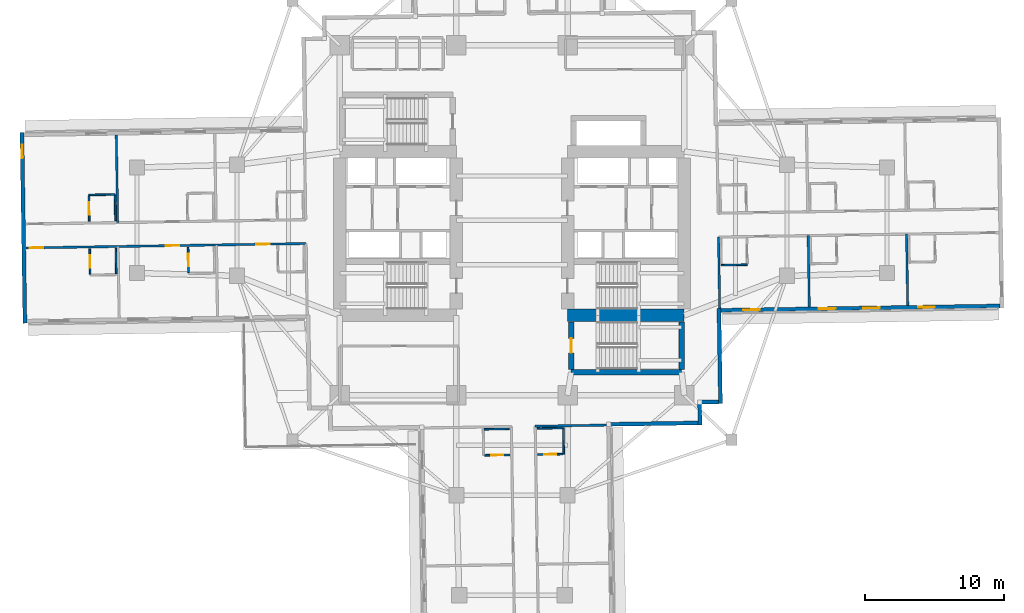
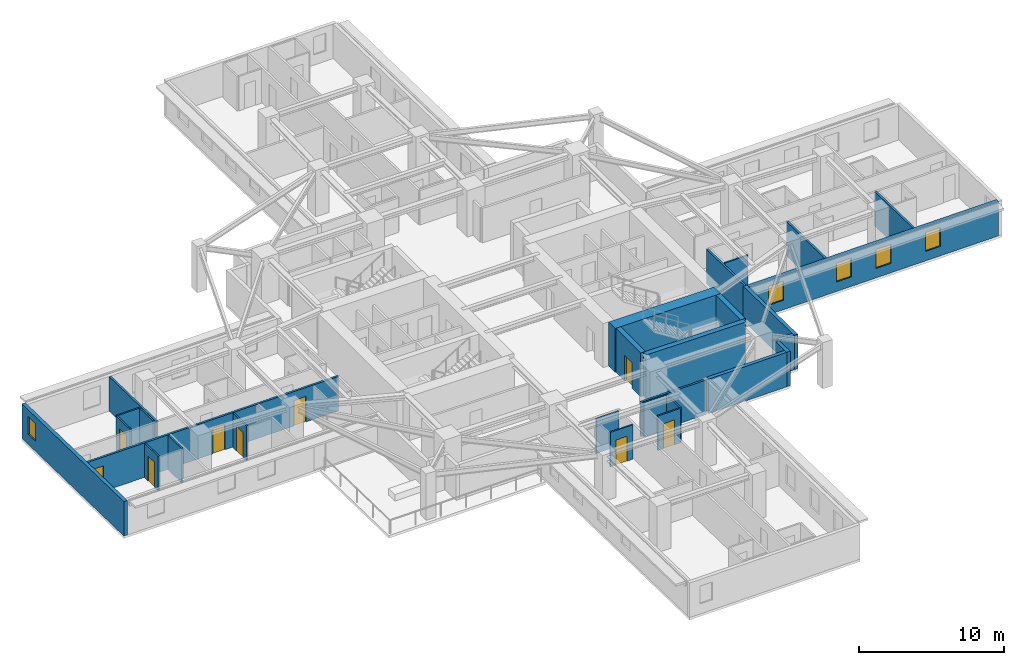
# One storey, part 4 of 14: 28 walls, 9 doors, 5 windows, 14 openings.
"""IFC4 building model written with IfcOpenShell, lengths in metres."""

from ifc_helpers import new_model, si_unit, direction, frame, frame_2d, origin, place, context, subcontext, project, spatial, rectangle, extrude, material, layer, layer_set, type_object, element, fill, save


model = new_model("IFC4")

# Units and contexts
model_context = context("Model", 3, precision=1e-05, world=origin(), true_north=direction((0.0, 1.0)))
body_context = subcontext(model_context, "Body", "Model", "MODEL_VIEW")
ifc_project = project(units=[si_unit("LENGTHUNIT", "METRE"), si_unit("AREAUNIT", "SQUARE_METRE"), si_unit("VOLUMEUNIT", "CUBIC_METRE"), si_unit("PLANEANGLEUNIT", "RADIAN"), si_unit("MASSUNIT", "GRAM", prefix="KILO")], contexts=[model_context])

# Site, building, storey
site_placement = place(None, origin())
site = spatial("IfcSite", under=ifc_project, at=site_placement, CompositionType="ELEMENT")
building_placement = place(site_placement, origin())
building = spatial("IfcBuilding", under=site, at=building_placement, Name="Qingluan Cross Belvedere", CompositionType="ELEMENT")
storey_placement = place(building_placement, frame((0.0, 0.0, 60.0)))
storey = spatial("IfcBuildingStorey", under=building, at=storey_placement, Name="L15", CompositionType="ELEMENT", Elevation=60.0)

# Wall
ifc_material_1 = material(Name="Concrete C50", Category="concrete")
ifc_layer_1 = layer(ifc_material_1, 0.449951171875, Name="CoreShearWall_450")
ifc_layer_set_1 = layer_set([ifc_layer_1], Name="Concrete C50")
wall_type_1 = type_object("IfcWallType", Name="CoreShearWall_450", PredefinedType="SHEAR", material=ifc_layer_set_1)
wall_1_placement = place(storey_placement, frame((4.260009765625, -10.93994140625, 0.0), z_axis=(0.0, 0.0, 1.0), x_axis=(1.0, 0.0, 0.0)))
element("IfcWall", 1, at=wall_1_placement, inside=storey, type_object=wall_type_1, Name="Stair ST4 structural wall S L15", PredefinedType="SHEAR", context=body_context, shape_type="SweptSolid", body=[
    extrude(rectangle(XDim=7.9599609375, YDim=0.39990234375, at=frame_2d((3.97998046875, 0.0))), origin(), (0.0, 0.0, 1.0), 3.699951171875),
])

# Wall, opening, door
wall_2_placement = place(storey_placement, frame((4.260009765625, -10.735107421875, 0.0), z_axis=(0.0, 0.0, 1.0), x_axis=(0.0, 1.0, 0.0)))
wall_2 = element("IfcWall", 2, at=wall_2_placement, inside=storey, type_object=wall_type_1, Name="Stair ST4 structural wall W L15", PredefinedType="SHEAR", context=body_context, shape_type="SweptSolid", body=[
    extrude(rectangle(XDim=3.43017578125, YDim=0.39990234375, at=frame_2d((1.715087890625, 0.0))), origin(), (0.0, 0.0, 1.0), 3.699951171875),
])
opening_1_placement = place(wall_2_placement, frame((1.18505859375, 0.0, 0.0)))
opening_1 = element("IfcOpeningElement", 3, at=opening_1_placement, cuts=wall_2, Name="Opening FD-B11", PredefinedType="OPENING", context=body_context, shape_type="SweptSolid", body=[
    extrude(rectangle(XDim=1.050048828125, YDim=2.14990234375, at=frame_2d((0.52490234375, 1.074951171875))), frame((0.0, 0.2099609375, 0.0), z_axis=(0.0, -1.0, 0.0), x_axis=(1.0, 0.0, 0.0)), (0.0, 0.0, 1.0), 0.419921875),
])
ifc_material_2 = material(Name="Steel Class B smoke-seal fire door", Category="steel")
door_type_1 = type_object("IfcDoorType", Name="StairLobbyFireDoor_FDB", OperationType="NOTDEFINED", PredefinedType="DOOR", material=ifc_material_2)
door_1_placement = place(opening_1_placement, origin())
door_1 = element("IfcDoor", 4, at=door_1_placement, inside=storey, type_object=door_type_1, Name="Smoke-proof stair ST4 fire door L15", OperationType="SINGLE_SWING_LEFT", OverallHeight=2.14990234375, OverallWidth=1.050048828125, PredefinedType="DOOR", context=body_context, shape_type="SweptSolid", body=[
    extrude(rectangle(XDim=1.050048828125, YDim=2.14990234375, at=frame_2d((0.52490234375, 1.074951171875))), frame((0.0, 0.02490234375, 0.0), z_axis=(0.0, -1.0, 0.0), x_axis=(1.0, 0.0, 0.0)), (0.0, 0.0, 1.0), 0.050048828125),
])
fill(opening_1, door_1)

# Walls
wall_3_placement = place(storey_placement, frame((12.219970703125, -10.735107421875, 0.0), z_axis=(0.0, 0.0, 1.0), x_axis=(0.0, 1.0, 0.0)))
element("IfcWall", 5, at=wall_3_placement, inside=storey, type_object=wall_type_1, Name="Stair ST4 structural wall E L15", PredefinedType="SHEAR", context=body_context, shape_type="SweptSolid", body=[
    extrude(rectangle(XDim=3.43017578125, YDim=0.39990234375, at=frame_2d((1.715087890625, 0.0))), origin(), (0.0, 0.0, 1.0), 3.699951171875),
])
ifc_material_3 = material(Name="Concrete C70", Category="concrete")
ifc_layer_2 = layer(ifc_material_3, 0.89990234375, Name="CoreShearWall_900")
ifc_layer_set_2 = layer_set([ifc_layer_2], Name="Concrete C70")
wall_type_2 = type_object("IfcWallType", Name="CoreShearWall_900", PredefinedType="SHEAR", material=ifc_layer_set_2)
wall_4_placement = place(storey_placement, frame((4.0, -6.85009765625, 0.0), z_axis=(0.0, 0.0, 1.0), x_axis=(1.0, 0.0, 0.0)))
element("IfcWall", 6, at=wall_4_placement, inside=storey, type_object=wall_type_2, Name="Split core E shear wall L15-S", PredefinedType="SHEAR", context=body_context, shape_type="SweptSolid", body=[
    extrude(rectangle(XDim=8.39990234375, YDim=0.89990234375, at=frame_2d((4.199951171875, 0.0))), origin(), (0.0, 0.0, 1.0), 3.699951171875),
])
ifc_material_4 = material(Name="Gypsum plasterboard on steel stud acoustic partition", Category="steel")
ifc_layer_3 = layer(ifc_material_4, 0.159912109375, Name="CorridorPartition_160")
ifc_layer_set_3 = layer_set([ifc_layer_3], Name="Gypsum plasterboard on steel stud acoustic partition")
wall_type_3 = type_object("IfcWallType", Name="CorridorPartition_160", PredefinedType="PARTITIONING", material=ifc_layer_set_3)
for number, where, z_axis, x_axis, name in (
    (7, (14.870849609375, -1.20654296875, 0.0), (0.0, 0.0, 1.0), (0.015698892967, -0.999876764786, 0.0), "Partition L15:E:s1"),
    (8, (21.324951171875, -1.105224609375, 0.0), (0.0, 0.0, 1.0), (0.015698892967, -0.999876764786, 0.0), "Partition L15:E:d1_0"),
    (9, (28.4091796875, -0.993896484375, 0.0), (0.0, 0.0, 1.0), (0.015698892967, -0.999876764786, 0.0), "Partition L15:E:d1_1"),
):
    element("IfcWall", number, at=place(storey_placement, frame(where, z_axis=z_axis, x_axis=x_axis)), inside=storey, type_object=wall_type_3, Name=name, PredefinedType="PARTITIONING", context=body_context, shape_type="SweptSolid", body=[
        extrude(rectangle(XDim=5.132080078125, YDim=0.159912109375, at=frame_2d((2.56591796875, 0.0))), origin(), (0.0, 0.0, 1.0), 2.89990234375),
    ])
wall_5_placement = place(storey_placement, frame((-28.390869140625, -0.166015625, 0.0), z_axis=(0.0, 0.0, 1.0), x_axis=(-0.01571461794, 0.999876517768, 0.0)))
element("IfcWall", 10, at=wall_5_placement, inside=storey, type_object=wall_type_3, Name="Partition L15:W:d0_1", PredefinedType="PARTITIONING", context=body_context, shape_type="SweptSolid", body=[
    extrude(rectangle(XDim=6.2919921875, YDim=0.159912109375, at=frame_2d((3.14599609375, 0.0))), origin(), (0.0, 0.0, 1.0), 2.89990234375),
])

# Wall, openings, doors
wall_6_placement = place(storey_placement, frame((-14.825439453125, -1.673095703125, 0.0), z_axis=(0.0, 0.0, 1.0), x_axis=(-0.999876717676, -0.015701893165, 0.0)))
wall_6 = element("IfcWall", 11, at=wall_6_placement, inside=storey, type_object=wall_type_3, Name="Partition L15:W:c1", PredefinedType="PARTITIONING", context=body_context, shape_type="SweptSolid", body=[
    extrude(rectangle(XDim=20.181884765625, YDim=0.159912109375, at=frame_2d((10.0908203125, 0.0))), origin(), (0.0, 0.0, 1.0), 2.89990234375),
])
opening_2_placement = place(wall_6_placement, frame((2.6259765625, 0.0, 0.0)))
opening_2 = element("IfcOpeningElement", 12, at=opening_2_placement, cuts=wall_6, Name="Opening GD-10", PredefinedType="OPENING", context=body_context, shape_type="SweptSolid", body=[
    extrude(rectangle(XDim=0.9599609375, YDim=2.14990234375, at=frame_2d((0.47998046875, 1.074951171875))), frame((0.0, 0.08984375, 0.0), z_axis=(0.0, -1.0, 0.0), x_axis=(1.0, 0.0, 0.0)), (0.0, 0.0, 1.0), 0.179931640625),
])
opening_3_placement = place(wall_6_placement, frame((9.14306640625, 0.0, 0.0)))
opening_3 = element("IfcOpeningElement", 13, at=opening_3_placement, cuts=wall_6, Name="Opening GD-10", PredefinedType="OPENING", context=body_context, shape_type="SweptSolid", body=[
    extrude(rectangle(XDim=0.9599609375, YDim=2.14990234375, at=frame_2d((0.47998046875, 1.074951171875))), frame((0.0, 0.08984375, 0.0), z_axis=(0.0, -1.0, 0.0), x_axis=(1.0, 0.0, 0.0)), (0.0, 0.0, 1.0), 0.179931640625),
])
opening_4_placement = place(wall_6_placement, frame((18.929931640625, 0.0, 0.0)))
opening_4 = element("IfcOpeningElement", 14, at=opening_4_placement, cuts=wall_6, Name="Opening GD-10", PredefinedType="OPENING", context=body_context, shape_type="SweptSolid", body=[
    extrude(rectangle(XDim=0.9599609375, YDim=2.14990234375, at=frame_2d((0.47998046875, 1.074951171875))), frame((0.0, 0.08984375, 0.0), z_axis=(0.0, -1.0, 0.0), x_axis=(1.0, 0.0, 0.0)), (0.0, 0.0, 1.0), 0.179931640625),
])
ifc_material_5 = material(Name="Timber oak fire-rated acoustic guestroom door", Category="wood")
door_type_2 = type_object("IfcDoorType", Name="GuestEntryDoor_FD60", OperationType="NOTDEFINED", PredefinedType="DOOR", material=ifc_material_5)
door_2_placement = place(opening_2_placement, origin())
door_2 = element("IfcDoor", 15, at=door_2_placement, inside=storey, type_object=door_type_2, Name="Guest entry fire door 1510", OperationType="SINGLE_SWING_LEFT", OverallHeight=2.14990234375, OverallWidth=0.9599609375, PredefinedType="DOOR", context=body_context, shape_type="SweptSolid", body=[
    extrude(rectangle(XDim=0.9599609375, YDim=2.14990234375, at=frame_2d((0.47998046875, 1.074951171875))), frame((0.0, 0.02490234375, 0.0), z_axis=(0.0, -1.0, 0.0), x_axis=(1.0, 0.0, 0.0)), (0.0, 0.0, 1.0), 0.050048828125),
])
fill(opening_2, door_2)
door_3_placement = place(opening_3_placement, origin())
door_3 = element("IfcDoor", 16, at=door_3_placement, inside=storey, type_object=door_type_2, Name="Guest entry fire door 1511", OperationType="SINGLE_SWING_LEFT", OverallHeight=2.14990234375, OverallWidth=0.9599609375, PredefinedType="DOOR", context=body_context, shape_type="SweptSolid", body=[
    extrude(rectangle(XDim=0.9599609375, YDim=2.14990234375, at=frame_2d((0.47998046875, 1.074951171875))), frame((0.0, 0.02490234375, 0.0), z_axis=(0.0, -1.0, 0.0), x_axis=(1.0, 0.0, 0.0)), (0.0, 0.0, 1.0), 0.050048828125),
])
fill(opening_3, door_3)
door_4_placement = place(opening_4_placement, origin())
door_4 = element("IfcDoor", 17, at=door_4_placement, inside=storey, type_object=door_type_2, Name="Guest entry fire door 1512", OperationType="SINGLE_SWING_LEFT", OverallHeight=2.14990234375, OverallWidth=0.9599609375, PredefinedType="DOOR", context=body_context, shape_type="SweptSolid", body=[
    extrude(rectangle(XDim=0.9599609375, YDim=2.14990234375, at=frame_2d((0.47998046875, 1.074951171875))), frame((0.0, 0.02490234375, 0.0), z_axis=(0.0, -1.0, 0.0), x_axis=(1.0, 0.0, 0.0)), (0.0, 0.0, 1.0), 0.050048828125),
])
fill(opening_4, door_4)

# Walls
wall_7_placement = place(storey_placement, frame((1.673095703125, -14.825439453125, 0.0), z_axis=(0.0, 0.0, 1.0), x_axis=(0.999877138082, 0.015675099418, 0.0)))
element("IfcWall", 18, at=wall_7_placement, inside=storey, type_object=wall_type_3, Name="Partition L15:S:s0", PredefinedType="PARTITIONING", context=body_context, shape_type="SweptSolid", body=[
    extrude(rectangle(XDim=5.280029296875, YDim=0.159912109375, at=frame_2d((2.64013671875, 0.0))), origin(), (0.0, 0.0, 1.0), 2.89990234375),
])
ifc_material_6 = material(Name="Moisture-resistant gypsum board lining")
ifc_layer_4 = layer(ifc_material_6, 0.1201171875, Name="EnsuiteWetPartition_120")
ifc_layer_set_4 = layer_set([ifc_layer_4], Name="Moisture-resistant gypsum board lining")
wall_type_4 = type_object("IfcWallType", Name="EnsuiteWetPartition_120", PredefinedType="PARTITIONING", material=ifc_layer_set_4)
wall_8_placement = place(storey_placement, frame((15.0625, -3.228759765625, 0.0), z_axis=(0.0, 0.0, 1.0), x_axis=(0.999876553475, 0.01571234584, 0.0)))
element("IfcWall", 19, at=wall_8_placement, inside=storey, type_object=wall_type_4, Name="Partition L15:E:bc1_0", PredefinedType="PARTITIONING", context=body_context, shape_type="SweptSolid", body=[
    extrude(rectangle(XDim=1.880126953125, YDim=0.1201171875, at=frame_2d((0.93994140625, 0.0))), origin(), (0.0, 0.0, 1.0), 2.89990234375),
])

# Wall, opening, door
wall_9_placement = place(storey_placement, frame((-30.432861328125, -0.05810546875, 0.0), z_axis=(0.0, 0.0, 1.0), x_axis=(-0.015694337248, 0.999876836305, 0.0)))
wall_9 = element("IfcWall", 20, at=wall_9_placement, inside=storey, type_object=wall_type_4, Name="Partition L15:W:bs0_2", PredefinedType="PARTITIONING", context=body_context, shape_type="SweptSolid", body=[
    extrude(rectangle(XDim=1.820068359375, YDim=0.1201171875, at=frame_2d((0.91015625, 0.0))), origin(), (0.0, 0.0, 1.0), 2.89990234375),
])
opening_5_placement = place(wall_9_placement, frame((0.469970703125, 0.0, 0.0)))
opening_5 = element("IfcOpeningElement", 21, at=opening_5_placement, cuts=wall_9, Name="Opening BD-09", PredefinedType="OPENING", context=body_context, shape_type="SweptSolid", body=[
    extrude(rectangle(XDim=0.8798828125, YDim=2.10009765625, at=frame_2d((0.43994140625, 1.050048828125))), frame((0.0, 0.070068359375, 0.0), z_axis=(0.0, -1.0, 0.0), x_axis=(1.0, 0.0, 0.0)), (0.0, 0.0, 1.0), 0.14013671875),
])
ifc_material_7 = material(Name="Moisture-sealed timber en-suite door", Category="wood")
door_type_3 = type_object("IfcDoorType", Name="BathroomDoor_880", OperationType="NOTDEFINED", PredefinedType="DOOR", material=ifc_material_7)
door_5_placement = place(opening_5_placement, origin())
door_5 = element("IfcDoor", 22, at=door_5_placement, inside=storey, type_object=door_type_3, Name="Bathroom door 1509", OperationType="SINGLE_SWING_RIGHT", OverallHeight=2.10009765625, OverallWidth=0.8798828125, PredefinedType="DOOR", context=body_context, shape_type="SweptSolid", body=[
    extrude(rectangle(XDim=0.8798828125, YDim=2.10009765625, at=frame_2d((0.43994140625, 1.050048828125))), frame((0.0, 0.02490234375, 0.0), z_axis=(0.0, -1.0, 0.0), x_axis=(1.0, 0.0, 0.0)), (0.0, 0.0, 1.0), 0.050048828125),
])
fill(opening_5, door_5)

# Walls
wall_10_placement = place(storey_placement, frame((-28.552978515625, -0.028564453125, 0.0), z_axis=(0.0, 0.0, 1.0), x_axis=(-0.015828443418, 0.999874722342, 0.0)))
element("IfcWall", 23, at=wall_10_placement, inside=storey, type_object=wall_type_4, Name="Partition L15:W:bw0_2", PredefinedType="PARTITIONING", context=body_context, shape_type="SweptSolid", body=[
    extrude(rectangle(XDim=1.820068359375, YDim=0.1201171875, at=frame_2d((0.91015625, 0.0))), origin(), (0.0, 0.0, 1.0), 2.89990234375),
])
wall_11_placement = place(storey_placement, frame((-28.582763671875, 1.856201171875, 0.0), z_axis=(0.0, 0.0, 1.0), x_axis=(-0.99987652141, -0.015714386166, 0.0)))
element("IfcWall", 24, at=wall_11_placement, inside=storey, type_object=wall_type_4, Name="Partition L15:W:bn0_2", PredefinedType="PARTITIONING", context=body_context, shape_type="SweptSolid", body=[
    extrude(rectangle(XDim=1.8798828125, YDim=0.1201171875, at=frame_2d((0.93994140625, 0.0))), origin(), (0.0, 0.0, 1.0), 2.89990234375),
])

# Wall, opening, door
wall_12_placement = place(storey_placement, frame((-23.288818359375, -3.766357421875, 0.0), z_axis=(0.0, 0.0, 1.0), x_axis=(-0.015694337248, 0.999876836305, 0.0)))
wall_12 = element("IfcWall", 25, at=wall_12_placement, inside=storey, type_object=wall_type_4, Name="Partition L15:W:bs1_1", PredefinedType="PARTITIONING", context=body_context, shape_type="SweptSolid", body=[
    extrude(rectangle(XDim=1.820068359375, YDim=0.1201171875, at=frame_2d((0.91015625, 0.0))), origin(), (0.0, 0.0, 1.0), 2.89990234375),
])
opening_6_placement = place(wall_12_placement, frame((0.469970703125, 0.0, 0.0)))
opening_6 = element("IfcOpeningElement", 26, at=opening_6_placement, cuts=wall_12, Name="Opening BD-09", PredefinedType="OPENING", context=body_context, shape_type="SweptSolid", body=[
    extrude(rectangle(XDim=0.8798828125, YDim=2.10009765625, at=frame_2d((0.43994140625, 1.050048828125))), frame((0.0, 0.070068359375, 0.0), z_axis=(0.0, -1.0, 0.0), x_axis=(1.0, 0.0, 0.0)), (0.0, 0.0, 1.0), 0.14013671875),
])
door_6_placement = place(opening_6_placement, origin())
door_6 = element("IfcDoor", 27, at=door_6_placement, inside=storey, type_object=door_type_3, Name="Bathroom door 1511", OperationType="SINGLE_SWING_RIGHT", OverallHeight=2.10009765625, OverallWidth=0.8798828125, PredefinedType="DOOR", context=body_context, shape_type="SweptSolid", body=[
    extrude(rectangle(XDim=0.8798828125, YDim=2.10009765625, at=frame_2d((0.43994140625, 1.050048828125))), frame((0.0, 0.02490234375, 0.0), z_axis=(0.0, -1.0, 0.0), x_axis=(1.0, 0.0, 0.0)), (0.0, 0.0, 1.0), 0.050048828125),
])
fill(opening_6, door_6)

wall_13_placement = place(storey_placement, frame((-30.372802734375, -3.877685546875, 0.0), z_axis=(0.0, 0.0, 1.0), x_axis=(-0.015694337248, 0.999876836305, 0.0)))
wall_13 = element("IfcWall", 28, at=wall_13_placement, inside=storey, type_object=wall_type_4, Name="Partition L15:W:bs1_2", PredefinedType="PARTITIONING", context=body_context, shape_type="SweptSolid", body=[
    extrude(rectangle(XDim=1.820068359375, YDim=0.1201171875, at=frame_2d((0.91015625, 0.0))), origin(), (0.0, 0.0, 1.0), 2.89990234375),
])
opening_7_placement = place(wall_13_placement, frame((0.469970703125, 0.0, 0.0)))
opening_7 = element("IfcOpeningElement", 29, at=opening_7_placement, cuts=wall_13, Name="Opening BD-09", PredefinedType="OPENING", context=body_context, shape_type="SweptSolid", body=[
    extrude(rectangle(XDim=0.8798828125, YDim=2.10009765625, at=frame_2d((0.43994140625, 1.050048828125))), frame((0.0, 0.070068359375, 0.0), z_axis=(0.0, -1.0, 0.0), x_axis=(1.0, 0.0, 0.0)), (0.0, 0.0, 1.0), 0.14013671875),
])
door_7_placement = place(opening_7_placement, origin())
door_7 = element("IfcDoor", 30, at=door_7_placement, inside=storey, type_object=door_type_3, Name="Bathroom door 1512", OperationType="SINGLE_SWING_RIGHT", OverallHeight=2.10009765625, OverallWidth=0.8798828125, PredefinedType="DOOR", context=body_context, shape_type="SweptSolid", body=[
    extrude(rectangle(XDim=0.8798828125, YDim=2.10009765625, at=frame_2d((0.43994140625, 1.050048828125))), frame((0.0, 0.02490234375, 0.0), z_axis=(0.0, -1.0, 0.0), x_axis=(1.0, 0.0, 0.0)), (0.0, 0.0, 1.0), 0.050048828125),
])
fill(opening_7, door_7)

# Wall
wall_14_placement = place(storey_placement, frame((-28.4931640625, -3.847900390625, 0.0), z_axis=(0.0, 0.0, 1.0), x_axis=(-0.015696442504, 0.999876803258, 0.0)))
element("IfcWall", 31, at=wall_14_placement, inside=storey, type_object=wall_type_4, Name="Partition L15:W:bw1_2", PredefinedType="PARTITIONING", context=body_context, shape_type="SweptSolid", body=[
    extrude(rectangle(XDim=1.81982421875, YDim=0.1201171875, at=frame_2d((0.909912109375, 0.0))), origin(), (0.0, 0.0, 1.0), 2.89990234375),
])

# Wall, opening, door
wall_15_placement = place(storey_placement, frame((1.84521484375, -16.863037109375, 0.0), z_axis=(0.0, 0.0, 1.0), x_axis=(0.999876803258, 0.015696442504, 0.0)))
wall_15 = element("IfcWall", 32, at=wall_15_placement, inside=storey, type_object=wall_type_4, Name="Partition L15:S:bs0_0", PredefinedType="PARTITIONING", context=body_context, shape_type="SweptSolid", body=[
    extrude(rectangle(XDim=1.81982421875, YDim=0.1201171875, at=frame_2d((0.909912109375, 0.0))), origin(), (0.0, 0.0, 1.0), 2.89990234375),
])
opening_8_placement = place(wall_15_placement, frame((0.469970703125, 0.0, 0.0)))
opening_8 = element("IfcOpeningElement", 33, at=opening_8_placement, cuts=wall_15, Name="Opening BD-09", PredefinedType="OPENING", context=body_context, shape_type="SweptSolid", body=[
    extrude(rectangle(XDim=0.8798828125, YDim=2.10009765625, at=frame_2d((0.43994140625, 1.050048828125))), frame((0.0, 0.070068359375, 0.0), z_axis=(0.0, -1.0, 0.0), x_axis=(1.0, 0.0, 0.0)), (0.0, 0.0, 1.0), 0.14013671875),
])
door_8_placement = place(opening_8_placement, origin())
door_8 = element("IfcDoor", 34, at=door_8_placement, inside=storey, type_object=door_type_3, Name="Bathroom door 1517", OperationType="SINGLE_SWING_RIGHT", OverallHeight=2.10009765625, OverallWidth=0.8798828125, PredefinedType="DOOR", context=body_context, shape_type="SweptSolid", body=[
    extrude(rectangle(XDim=0.8798828125, YDim=2.10009765625, at=frame_2d((0.43994140625, 1.050048828125))), frame((0.0, 0.02490234375, 0.0), z_axis=(0.0, -1.0, 0.0), x_axis=(1.0, 0.0, 0.0)), (0.0, 0.0, 1.0), 0.050048828125),
])
fill(opening_8, door_8)

# Walls
wall_16_placement = place(storey_placement, frame((1.815673828125, -14.9833984375, 0.0), z_axis=(0.0, 0.0, 1.0), x_axis=(0.999874688728, 0.015830566654, 0.0)))
element("IfcWall", 35, at=wall_16_placement, inside=storey, type_object=wall_type_4, Name="Partition L15:S:bw0_0", PredefinedType="PARTITIONING", context=body_context, shape_type="SweptSolid", body=[
    extrude(rectangle(XDim=1.81982421875, YDim=0.1201171875, at=frame_2d((0.909912109375, 0.0))), origin(), (0.0, 0.0, 1.0), 2.89990234375),
])
wall_17_placement = place(storey_placement, frame((3.7001953125, -14.95361328125, 0.0), z_axis=(0.0, 0.0, 1.0), x_axis=(0.015842167482, -0.99987450499, 0.0)))
element("IfcWall", 36, at=wall_17_placement, inside=storey, type_object=wall_type_4, Name="Partition L15:S:bn0_0", PredefinedType="PARTITIONING", context=body_context, shape_type="SweptSolid", body=[
    extrude(rectangle(XDim=1.880126953125, YDim=0.1201171875, at=frame_2d((0.93994140625, 0.0))), origin(), (0.0, 0.0, 1.0), 2.89990234375),
])

# Wall, opening, door
wall_18_placement = place(storey_placement, frame((-1.974365234375, -16.923095703125, 0.0), z_axis=(0.0, 0.0, 1.0), x_axis=(0.999876803258, 0.015696442504, 0.0)))
wall_18 = element("IfcWall", 37, at=wall_18_placement, inside=storey, type_object=wall_type_4, Name="Partition L15:S:bs1_0", PredefinedType="PARTITIONING", context=body_context, shape_type="SweptSolid", body=[
    extrude(rectangle(XDim=1.81982421875, YDim=0.1201171875, at=frame_2d((0.909912109375, 0.0))), origin(), (0.0, 0.0, 1.0), 2.89990234375),
])
opening_9_placement = place(wall_18_placement, frame((0.469970703125, 0.0, 0.0)))
opening_9 = element("IfcOpeningElement", 38, at=opening_9_placement, cuts=wall_18, Name="Opening BD-09", PredefinedType="OPENING", context=body_context, shape_type="SweptSolid", body=[
    extrude(rectangle(XDim=0.8798828125, YDim=2.10009765625, at=frame_2d((0.43994140625, 1.050048828125))), frame((0.0, 0.070068359375, 0.0), z_axis=(0.0, -1.0, 0.0), x_axis=(1.0, 0.0, 0.0)), (0.0, 0.0, 1.0), 0.14013671875),
])
door_9_placement = place(opening_9_placement, origin())
door_9 = element("IfcDoor", 39, at=door_9_placement, inside=storey, type_object=door_type_3, Name="Bathroom door 1519", OperationType="SINGLE_SWING_RIGHT", OverallHeight=2.10009765625, OverallWidth=0.8798828125, PredefinedType="DOOR", context=body_context, shape_type="SweptSolid", body=[
    extrude(rectangle(XDim=0.8798828125, YDim=2.10009765625, at=frame_2d((0.43994140625, 1.050048828125))), frame((0.0, 0.02490234375, 0.0), z_axis=(0.0, -1.0, 0.0), x_axis=(1.0, 0.0, 0.0)), (0.0, 0.0, 1.0), 0.050048828125),
])
fill(opening_9, door_9)

# Wall
wall_19_placement = place(storey_placement, frame((-2.00390625, -15.043212890625, 0.0), z_axis=(0.0, 0.0, 1.0), x_axis=(0.999876836305, 0.015694337248, 0.0)))
element("IfcWall", 40, at=wall_19_placement, inside=storey, type_object=wall_type_4, Name="Partition L15:S:bw1_0", PredefinedType="PARTITIONING", context=body_context, shape_type="SweptSolid", body=[
    extrude(rectangle(XDim=1.820068359375, YDim=0.1201171875, at=frame_2d((0.91015625, 0.0))), origin(), (0.0, 0.0, 1.0), 2.89990234375),
])

# Wall, openings, windows
ifc_material_8 = material(Name="Precast concrete C45", Category="concrete")
ifc_layer_5 = layer(ifc_material_8, 0.280029296875, Name="PrecastFacadeWall_280")
ifc_layer_set_5 = layer_set([ifc_layer_5], Name="Precast concrete C45")
wall_type_5 = type_object("IfcWallType", Name="PrecastFacadeWall_280", PredefinedType="STANDARD", material=ifc_layer_set_5)
wall_20_placement = place(storey_placement, frame((15.043701171875, -6.484619140625, 0.0), z_axis=(0.0, 0.0, 1.0), x_axis=(0.999876474133, 0.01571739401, 0.0)))
wall_20 = element("IfcWall", 41, at=wall_20_placement, inside=storey, type_object=wall_type_5, Name="Facade wall L15-EA", PredefinedType="STANDARD", context=body_context, shape_type="SweptSolid", body=[
    extrude(rectangle(XDim=20.099853515625, YDim=0.280029296875, at=frame_2d((10.0498046875, 0.0))), origin(), (0.0, 0.0, 1.0), 2.909912109375),
])
opening_10_placement = place(wall_20_placement, frame((1.60009765625, 0.0, 0.800048828125)))
opening_10 = element("IfcOpeningElement", 42, at=opening_10_placement, cuts=wall_20, Name="Opening W-02", PredefinedType="OPENING", context=body_context, shape_type="SweptSolid", body=[
    extrude(rectangle(XDim=1.199951171875, YDim=1.60009765625, at=frame_2d((0.60009765625, 0.800048828125))), frame((0.0, 0.14990234375, 0.0), z_axis=(0.0, -1.0, 0.0), x_axis=(1.0, 0.0, 0.0)), (0.0, 0.0, 1.0), 0.300048828125),
])
opening_11_placement = place(wall_20_placement, frame((7.050048828125, 0.0, 0.800048828125)))
opening_11 = element("IfcOpeningElement", 43, at=opening_11_placement, cuts=wall_20, Name="Opening W-02", PredefinedType="OPENING", context=body_context, shape_type="SweptSolid", body=[
    extrude(rectangle(XDim=1.199951171875, YDim=1.60009765625, at=frame_2d((0.60009765625, 0.800048828125))), frame((0.0, 0.14990234375, 0.0), z_axis=(0.0, -1.0, 0.0), x_axis=(1.0, 0.0, 0.0)), (0.0, 0.0, 1.0), 0.300048828125),
])
opening_12_placement = place(wall_20_placement, frame((10.25, 0.0, 0.800048828125)))
opening_12 = element("IfcOpeningElement", 44, at=opening_12_placement, cuts=wall_20, Name="Opening W-02", PredefinedType="OPENING", context=body_context, shape_type="SweptSolid", body=[
    extrude(rectangle(XDim=1.199951171875, YDim=1.60009765625, at=frame_2d((0.60009765625, 0.800048828125))), frame((0.0, 0.14990234375, 0.0), z_axis=(0.0, -1.0, 0.0), x_axis=(1.0, 0.0, 0.0)), (0.0, 0.0, 1.0), 0.300048828125),
])
opening_13_placement = place(wall_20_placement, frame((14.199951171875, 0.0, 0.800048828125)))
opening_13 = element("IfcOpeningElement", 45, at=opening_13_placement, cuts=wall_20, Name="Opening W-02", PredefinedType="OPENING", context=body_context, shape_type="SweptSolid", body=[
    extrude(rectangle(XDim=1.199951171875, YDim=1.60009765625, at=frame_2d((0.60009765625, 0.800048828125))), frame((0.0, 0.14990234375, 0.0), z_axis=(0.0, -1.0, 0.0), x_axis=(1.0, 0.0, 0.0)), (0.0, 0.0, 1.0), 0.300048828125),
])
ifc_material_9 = material(Name="Thermally broken triple Low-E glass in aluminium frame", Category="aluminium")
window_type_1 = type_object("IfcWindowType", Name="TriRibbonWin_1200x1600", PartitioningType="SINGLE_PANEL", PredefinedType="WINDOW", material=ifc_material_9)
window_1_placement = place(opening_10_placement, origin())
window_1 = element("IfcWindow", 46, at=window_1_placement, inside=storey, type_object=window_type_1, Name="Ribbon window L15-EA-1", OverallHeight=1.60009765625, OverallWidth=1.199951171875, PartitioningType="SINGLE_PANEL", PredefinedType="WINDOW", context=body_context, shape_type="SweptSolid", body=[
    extrude(rectangle(XDim=1.199951171875, YDim=1.60009765625, at=frame_2d((0.60009765625, 0.800048828125))), frame((0.0, 0.030029296875, 0.0), z_axis=(0.0, -1.0, 0.0), x_axis=(1.0, 0.0, 0.0)), (0.0, 0.0, 1.0), 0.06005859375),
])
fill(opening_10, window_1)
window_2_placement = place(opening_11_placement, origin())
window_2 = element("IfcWindow", 47, at=window_2_placement, inside=storey, type_object=window_type_1, Name="Ribbon window L15-EA-2", OverallHeight=1.60009765625, OverallWidth=1.199951171875, PartitioningType="SINGLE_PANEL", PredefinedType="WINDOW", context=body_context, shape_type="SweptSolid", body=[
    extrude(rectangle(XDim=1.199951171875, YDim=1.60009765625, at=frame_2d((0.60009765625, 0.800048828125))), frame((0.0, 0.030029296875, 0.0), z_axis=(0.0, -1.0, 0.0), x_axis=(1.0, 0.0, 0.0)), (0.0, 0.0, 1.0), 0.06005859375),
])
fill(opening_11, window_2)
window_3_placement = place(opening_12_placement, origin())
window_3 = element("IfcWindow", 48, at=window_3_placement, inside=storey, type_object=window_type_1, Name="Ribbon window L15-EA-3", OverallHeight=1.60009765625, OverallWidth=1.199951171875, PartitioningType="SINGLE_PANEL", PredefinedType="WINDOW", context=body_context, shape_type="SweptSolid", body=[
    extrude(rectangle(XDim=1.199951171875, YDim=1.60009765625, at=frame_2d((0.60009765625, 0.800048828125))), frame((0.0, 0.030029296875, 0.0), z_axis=(0.0, -1.0, 0.0), x_axis=(1.0, 0.0, 0.0)), (0.0, 0.0, 1.0), 0.06005859375),
])
fill(opening_12, window_3)
window_4_placement = place(opening_13_placement, origin())
window_4 = element("IfcWindow", 49, at=window_4_placement, inside=storey, type_object=window_type_1, Name="Ribbon window L15-EA-4", OverallHeight=1.60009765625, OverallWidth=1.199951171875, PartitioningType="SINGLE_PANEL", PredefinedType="WINDOW", context=body_context, shape_type="SweptSolid", body=[
    extrude(rectangle(XDim=1.199951171875, YDim=1.60009765625, at=frame_2d((0.60009765625, 0.800048828125))), frame((0.0, 0.030029296875, 0.0), z_axis=(0.0, -1.0, 0.0), x_axis=(1.0, 0.0, 0.0)), (0.0, 0.0, 1.0), 0.06005859375),
])
fill(opening_13, window_4)

# Wall, opening, window
wall_21_placement = place(storey_placement, frame((-35.283447265625, 6.306640625, 0.0), z_axis=(0.0, 0.0, 1.0), x_axis=(0.015712599986, -0.999876549481, 0.0)))
wall_21 = element("IfcWall", 50, at=wall_21_placement, inside=storey, type_object=wall_type_5, Name="Arm tip precast facade wall L15-W", PredefinedType="STANDARD", context=body_context, shape_type="SweptSolid", body=[
    extrude(rectangle(XDim=13.719970703125, YDim=0.280029296875, at=frame_2d((6.85986328125, 0.0))), origin(), (0.0, 0.0, 1.0), 2.909912109375),
])
opening_14_placement = place(wall_21_placement, frame((0.85009765625, 0.0, 0.85009765625)))
opening_14 = element("IfcOpeningElement", 51, at=opening_14_placement, cuts=wall_21, Name="Opening W-03", PredefinedType="OPENING", context=body_context, shape_type="SweptSolid", body=[
    extrude(rectangle(XDim=1.0, YDim=1.5, at=frame_2d((0.5, 0.75))), frame((0.0, 0.14990234375, 0.0), z_axis=(0.0, -1.0, 0.0), x_axis=(1.0, 0.0, 0.0)), (0.0, 0.0, 1.0), 0.300048828125),
])
ifc_material_10 = material(Name="Thermally broken triple Low-E glass in aluminium frame", Category="aluminium")
window_type_2 = type_object("IfcWindowType", Name="TriApexWin_1000x1500", PartitioningType="SINGLE_PANEL", PredefinedType="WINDOW", material=ifc_material_10)
window_5_placement = place(opening_14_placement, origin())
window_5 = element("IfcWindow", 52, at=window_5_placement, inside=storey, type_object=window_type_2, Name="Arm tip triangular window L15-W", OverallHeight=1.5, OverallWidth=1.0, PartitioningType="SINGLE_PANEL", PredefinedType="WINDOW", context=body_context, shape_type="SweptSolid", body=[
    extrude(rectangle(XDim=1.0, YDim=1.5, at=frame_2d((0.5, 0.75))), frame((0.0, 0.030029296875, 0.0), z_axis=(0.0, -1.0, 0.0), x_axis=(1.0, 0.0, 0.0)), (0.0, 0.0, 1.0), 0.06005859375),
])
fill(opening_14, window_5)

# Walls
wall_22_placement = place(storey_placement, frame((14.901611328125, -6.3466796875, 0.0), z_axis=(0.0, 0.0, 1.0), x_axis=(0.015694809807, -0.999876828887, 0.0)))
element("IfcWall", 53, at=wall_22_placement, inside=storey, type_object=wall_type_5, Name="Corner wall L15-SE1", PredefinedType="STANDARD", context=body_context, shape_type="SweptSolid", body=[
    extrude(rectangle(XDim=6.85986328125, YDim=0.280029296875, at=frame_2d((3.429931640625, 0.0))), origin(), (0.0, 0.0, 1.0), 2.909912109375),
])
wall_23_placement = place(storey_placement, frame((14.8671875, -13.068115234375, 0.0), z_axis=(0.0, 0.0, 1.0), x_axis=(-0.999875053502, -0.015807510352, 0.0)))
element("IfcWall", 54, at=wall_23_placement, inside=storey, type_object=wall_type_5, Name="Corner wall L15-SE2", PredefinedType="STANDARD", context=body_context, shape_type="SweptSolid", body=[
    extrude(rectangle(XDim=1.22021484375, YDim=0.280029296875, at=frame_2d((0.610107421875, 0.0))), origin(), (0.0, 0.0, 1.0), 2.909912109375),
])
wall_24_placement = place(storey_placement, frame((13.509521484375, -13.2294921875, 0.0), z_axis=(0.0, 0.0, 1.0), x_axis=(0.015625635615, -0.999877912303, 0.0)))
element("IfcWall", 55, at=wall_24_placement, inside=storey, type_object=wall_type_5, Name="Corner wall L15-SE3", PredefinedType="STANDARD", context=body_context, shape_type="SweptSolid", body=[
    extrude(rectangle(XDim=1.5, YDim=0.280029296875, at=frame_2d((0.75, 0.0))), origin(), (0.0, 0.0, 1.0), 2.909912109375),
])
wall_25_placement = place(storey_placement, frame((13.390869140625, -14.591552734375, 0.0), z_axis=(0.0, 0.0, 1.0), x_axis=(-0.999876833368, -0.015694524359, 0.0)))
element("IfcWall", 56, at=wall_25_placement, inside=storey, type_object=wall_type_5, Name="Corner wall L15-SE4", PredefinedType="STANDARD", context=body_context, shape_type="SweptSolid", body=[
    extrude(rectangle(XDim=6.300048828125, YDim=0.280029296875, at=frame_2d((3.14990234375, 0.0))), origin(), (0.0, 0.0, 1.0), 2.909912109375),
])

save(model, "model.ifc")
